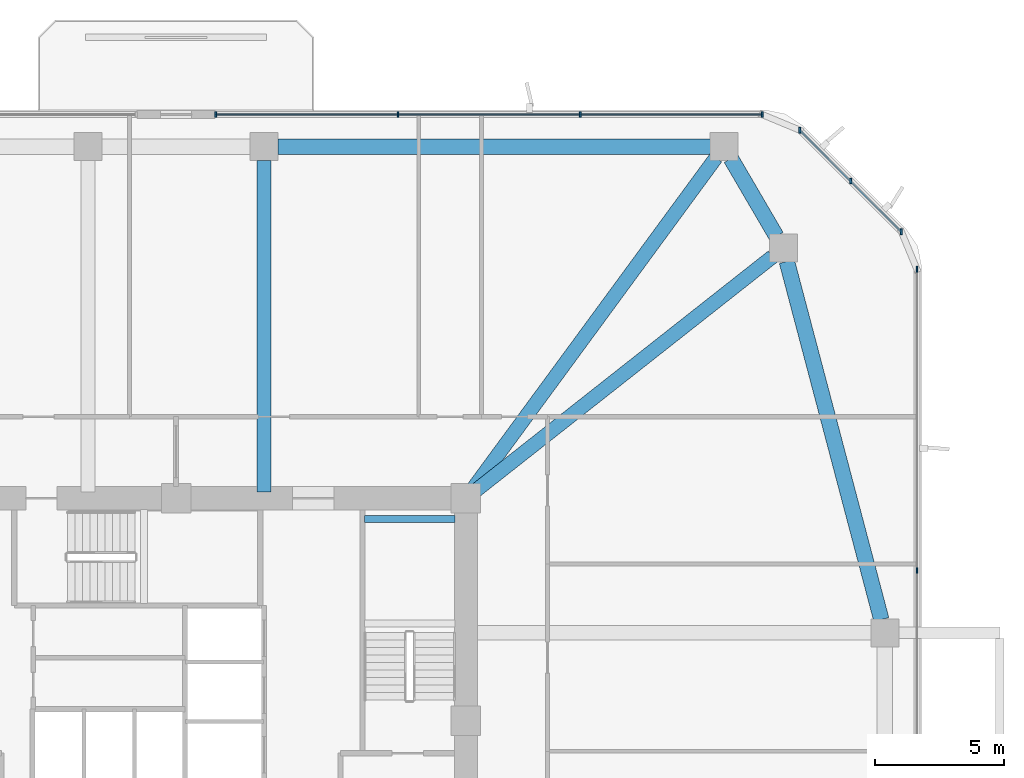
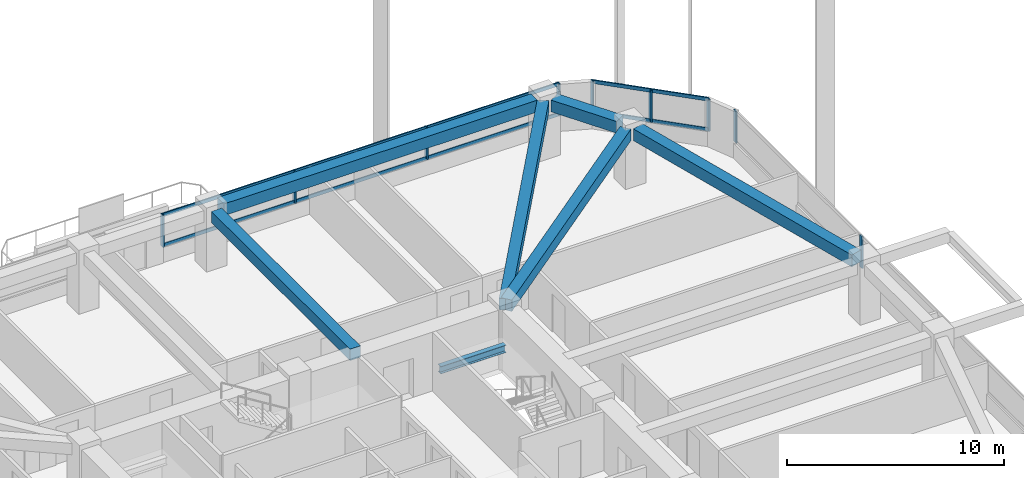
# One storey, part 7 of 17: 13 members, 7 beams, 3 elements without a shape of their own.
"""IFC4 building model written with IfcOpenShell, lengths in metres."""

from ifc_helpers import new_model, si_unit, derived_unit, direction, frame, origin, origin_2d, place, context, subcontext, project, spatial, rectangle, i_section, extrude, material, material_profile, profile_set, type_object, element, aggregate, save


model = new_model("IFC4")

# Units and contexts
model_context = context("Model", 3, precision=1e-05, world=origin(), true_north=direction((0.0, 1.0)))
body_context = subcontext(model_context, "Body", "Model", "MODEL_VIEW")
ifc_project = project(units=[si_unit("LENGTHUNIT", "METRE"), si_unit("AREAUNIT", "SQUARE_METRE"), si_unit("VOLUMEUNIT", "CUBIC_METRE"), si_unit("PLANEANGLEUNIT", "RADIAN"), si_unit("MASSUNIT", "GRAM", prefix="KILO"), derived_unit("THERMALTRANSMITTANCEUNIT", [(si_unit("POWERUNIT", "WATT"), 1), (si_unit("LENGTHUNIT", "METRE"), -2), (si_unit("THERMODYNAMICTEMPERATUREUNIT", "KELVIN"), -1)])], contexts=[model_context])

# Site, building, storey
site_placement = place(None, origin())
site = spatial("IfcSite", under=ifc_project, at=site_placement, CompositionType="ELEMENT")
building_placement = place(site_placement, origin())
building = spatial("IfcBuilding", under=site, at=building_placement, Name="Koralith Skygarden Medical Center", CompositionType="ELEMENT")
storey_placement = place(building_placement, frame((0.0, 0.0, 38.340087890625)))
storey = spatial("IfcBuildingStorey", under=building, at=storey_placement, Name="L09", CompositionType="ELEMENT", Elevation=38.340087890625)

# Curtain wall, members
ifc_material_1 = material(Name="Clear Laminated Glass", Category="glass")
curtain_wall_type = type_object("IfcCurtainWallType", Name="CW-2 Zone 1 Hurricane Unitised Curtain Wall", PredefinedType="NOTDEFINED", material=ifc_material_1)
curtain_wall_1_placement = place(storey_placement, origin())
curtain_wall_1 = element("IfcCurtainWall", 1, at=curtain_wall_1_placement, inside=storey, type_object=curtain_wall_type, Name="Curtain Wall CW-L09-E", PredefinedType="NOTDEFINED")
ifc_material_2 = material(Name="Aluminium 6063-T6", Category="aluminium")
ifc_material_profile_1 = material_profile(ifc_material_2, rectangle(XDim=0.071044921875, YDim=0.219970703125, at=origin_2d()), Name="MUL71X220")
ifc_profile_set_1 = profile_set([ifc_material_profile_1], Name="Aluminium 6063-T6")
member_type_1 = type_object("IfcMemberType", Name="CW-2 Extruded Mullion 71x220", PredefinedType="MULLION", material=ifc_profile_set_1)
member_1_placement = place(storey_placement, frame((65.6201171875, 31.715087890625, 0.849853515625), z_axis=(0.0, 0.0, 1.0), x_axis=(1.0, 0.0, 0.0)))
member_1 = element("IfcMember", 2, at=member_1_placement, type_object=member_type_1, Name="CW-L09-E Mullion 3", PredefinedType="MULLION", context=body_context, shape_type="SweptSolid", body=[
    extrude(rectangle(XDim=0.071044921875, YDim=0.219970703125, at=origin_2d()), origin(), (0.0, 0.0, 1.0), 1.800048828125),
])
member_2_placement = place(storey_placement, frame((65.6201171875, 43.344970703125, 0.849853515625), z_axis=(0.0, 0.0, 1.0), x_axis=(1.0, 0.0, 0.0)))
member_2 = element("IfcMember", 3, at=member_2_placement, type_object=member_type_1, Name="CW-L09-E Mullion 4", PredefinedType="MULLION", context=body_context, shape_type="SweptSolid", body=[
    extrude(rectangle(XDim=0.071044921875, YDim=0.219970703125, at=origin_2d()), origin(), (0.0, 0.0, 1.0), 1.800048828125),
])
aggregate(curtain_wall_1, [member_1, member_2])

curtain_wall_2_placement = place(storey_placement, origin())
curtain_wall_2 = element("IfcCurtainWall", 4, at=curtain_wall_2_placement, inside=storey, type_object=curtain_wall_type, Name="Curtain Wall CW-L09-NE", PredefinedType="NOTDEFINED")
member_3_placement = place(storey_placement, frame((65.01904296875, 44.7958984375, 0.849853515625), z_axis=(0.0, 0.0, 1.0), x_axis=(1.0, 0.0, 0.0)))
member_3 = element("IfcMember", 5, at=member_3_placement, type_object=member_type_1, Name="CW-L09-NE Mullion 1", PredefinedType="MULLION", context=body_context, shape_type="SweptSolid", body=[
    extrude(rectangle(XDim=0.071044921875, YDim=0.219970703125, at=origin_2d()), origin(), (0.0, 0.0, 1.0), 1.800048828125),
])
member_4_placement = place(storey_placement, frame((63.05810546875, 46.758056640625, 0.849853515625), z_axis=(0.0, 0.0, 1.0), x_axis=(1.0, 0.0, 0.0)))
member_4 = element("IfcMember", 6, at=member_4_placement, type_object=member_type_1, Name="CW-L09-NE Mullion 2", PredefinedType="MULLION", context=body_context, shape_type="SweptSolid", body=[
    extrude(rectangle(XDim=0.071044921875, YDim=0.219970703125, at=origin_2d()), origin(), (0.0, 0.0, 1.0), 1.800048828125),
])
member_5_placement = place(storey_placement, frame((61.095947265625, 48.718994140625, 0.849853515625), z_axis=(0.0, 0.0, 1.0), x_axis=(1.0, 0.0, 0.0)))
member_5 = element("IfcMember", 7, at=member_5_placement, type_object=member_type_1, Name="CW-L09-NE Mullion 3", PredefinedType="MULLION", context=body_context, shape_type="SweptSolid", body=[
    extrude(rectangle(XDim=0.071044921875, YDim=0.219970703125, at=origin_2d()), origin(), (0.0, 0.0, 1.0), 1.800048828125),
])

curtain_wall_3_placement = place(storey_placement, origin())
curtain_wall_3 = element("IfcCurtainWall", 8, at=curtain_wall_3_placement, inside=storey, type_object=curtain_wall_type, Name="Curtain Wall CW-L09-N-L", PredefinedType="NOTDEFINED")
member_6_placement = place(storey_placement, frame((59.64501953125, 49.320068359375, 0.849853515625), z_axis=(0.0, 0.0, 1.0), x_axis=(1.0, 0.0, 0.0)))
member_6 = element("IfcMember", 9, at=member_6_placement, type_object=member_type_1, Name="CW-L09-N-L Mullion 1", PredefinedType="MULLION", context=body_context, shape_type="SweptSolid", body=[
    extrude(rectangle(XDim=0.071044921875, YDim=0.219970703125, at=origin_2d()), origin(), (0.0, 0.0, 1.0), 1.800048828125),
])
member_7_placement = place(storey_placement, frame((52.610107421875, 49.320068359375, 0.849853515625), z_axis=(0.0, 0.0, 1.0), x_axis=(1.0, 0.0, 0.0)))
member_7 = element("IfcMember", 10, at=member_7_placement, type_object=member_type_1, Name="CW-L09-N-L Mullion 2", PredefinedType="MULLION", context=body_context, shape_type="SweptSolid", body=[
    extrude(rectangle(XDim=0.071044921875, YDim=0.219970703125, at=origin_2d()), origin(), (0.0, 0.0, 1.0), 1.800048828125),
])
member_8_placement = place(storey_placement, frame((45.574951171875, 49.320068359375, 0.849853515625), z_axis=(0.0, 0.0, 1.0), x_axis=(1.0, 0.0, 0.0)))
member_8 = element("IfcMember", 11, at=member_8_placement, type_object=member_type_1, Name="CW-L09-N-L Mullion 3", PredefinedType="MULLION", context=body_context, shape_type="SweptSolid", body=[
    extrude(rectangle(XDim=0.071044921875, YDim=0.219970703125, at=origin_2d()), origin(), (0.0, 0.0, 1.0), 1.800048828125),
])
member_9_placement = place(storey_placement, frame((38.5400390625, 49.320068359375, 0.849853515625), z_axis=(0.0, 0.0, 1.0), x_axis=(1.0, 0.0, 0.0)))
member_9 = element("IfcMember", 12, at=member_9_placement, type_object=member_type_1, Name="CW-L09-N-L Mullion 4", PredefinedType="MULLION", context=body_context, shape_type="SweptSolid", body=[
    extrude(rectangle(XDim=0.071044921875, YDim=0.219970703125, at=origin_2d()), origin(), (0.0, 0.0, 1.0), 1.800048828125),
])

# Member
ifc_material_profile_2 = material_profile(ifc_material_2, rectangle(XDim=0.06591796875, YDim=0.197998046875, at=origin_2d()), Name="TRN66X198")
ifc_profile_set_2 = profile_set([ifc_material_profile_2], Name="Aluminium 6063-T6")
member_type_2 = type_object("IfcMemberType", Name="CW-2 Thermal Transom 66x198", PredefinedType="USERDEFINED", material=ifc_profile_set_2)
member_10_placement = place(storey_placement, frame((65.01904296875, 44.7958984375, 0.89990234375), z_axis=(-0.707106781187, 0.707106781187, 0.0), x_axis=(-0.707106781187, -0.707106781187, 0.0)))
member_10 = element("IfcMember", 13, at=member_10_placement, type_object=member_type_2, Name="CW-L09-NE Transom 1", ObjectType="TRANSOM", PredefinedType="USERDEFINED", context=body_context, shape_type="SweptSolid", body=[
    extrude(rectangle(XDim=0.06591796875, YDim=0.197998046875, at=origin_2d()), origin(), (0.0, 0.0, 1.0), 5.548095703125),
])

member_11_placement = place(storey_placement, frame((65.01904296875, 44.7958984375, 2.599853515625), z_axis=(-0.707106781187, 0.707106781187, 0.0), x_axis=(-0.707106781187, -0.707106781187, 0.0)))
member_11 = element("IfcMember", 14, at=member_11_placement, type_object=member_type_2, Name="CW-L09-NE Transom 2", ObjectType="TRANSOM", PredefinedType="USERDEFINED", context=body_context, shape_type="SweptSolid", body=[
    extrude(rectangle(XDim=0.06591796875, YDim=0.197998046875, at=origin_2d()), origin(), (0.0, 0.0, 1.0), 5.548095703125),
])

aggregate(curtain_wall_2, [member_3, member_4, member_5, member_10, member_11])

member_12_placement = place(storey_placement, frame((59.64501953125, 49.320068359375, 0.89990234375), z_axis=(-1.0, 0.0, 0.0), x_axis=(0.0, -1.0, 0.0)))
member_12 = element("IfcMember", 15, at=member_12_placement, type_object=member_type_2, Name="CW-L09-N-L Transom 1", ObjectType="TRANSOM", PredefinedType="USERDEFINED", context=body_context, shape_type="SweptSolid", body=[
    extrude(rectangle(XDim=0.06591796875, YDim=0.197998046875, at=origin_2d()), origin(), (0.0, 0.0, 1.0), 21.10498046875),
])

member_13_placement = place(storey_placement, frame((59.64501953125, 49.320068359375, 2.599853515625), z_axis=(-1.0, 0.0, 0.0), x_axis=(0.0, -1.0, 0.0)))
member_13 = element("IfcMember", 16, at=member_13_placement, type_object=member_type_2, Name="CW-L09-N-L Transom 2", ObjectType="TRANSOM", PredefinedType="USERDEFINED", context=body_context, shape_type="SweptSolid", body=[
    extrude(rectangle(XDim=0.06591796875, YDim=0.197998046875, at=origin_2d()), origin(), (0.0, 0.0, 1.0), 21.10498046875),
])

aggregate(curtain_wall_3, [member_6, member_7, member_8, member_9, member_12, member_13])

# Beams
ifc_material_3 = material(Name="Steel ASTM A992 Grade 50", Category="steel")
ifc_material_profile_3 = material_profile(ifc_material_3, i_section(OverallWidth=0.260009765625, OverallDepth=0.4150390625, WebThickness=0.010009765625, FlangeThickness=0.016845703125, at=origin_2d()), Name="W16X67")
ifc_profile_set_3 = profile_set([ifc_material_profile_3], Name="Steel ASTM A992 Grade 50")
beam_type_1 = type_object("IfcBeamType", Name="Clinical Floor Joist W16X67", PredefinedType="JOIST", material=ifc_profile_set_3)
beam_1_placement = place(storey_placement, frame((44.280029296875, 33.699951171875, 1.391845703125), z_axis=(1.0, 0.0, 0.0), x_axis=(0.0, 1.0, 0.0)))
element("IfcBeam", 17, at=beam_1_placement, inside=storey, type_object=beam_type_1, Name="L09 Stair ST2 Half-Landing Support Beam 1B", PredefinedType="JOIST", context=body_context, shape_type="SweptSolid", body=[
    extrude(i_section(OverallWidth=0.260009765625, OverallDepth=0.4150390625, WebThickness=0.010009765625, FlangeThickness=0.016845703125, at=origin_2d()), origin(), (0.0, 0.0, 1.0), 3.489990234375),
])
ifc_material_4 = material(Name="Concrete C45/55", Category="concrete")
ifc_material_profile_4 = material_profile(ifc_material_4, rectangle(XDim=0.550048828125, YDim=0.639892578125, at=origin_2d()), Name="RCB550X640")
ifc_profile_set_4 = profile_set([ifc_material_profile_4], Name="Concrete C45/55")
beam_type_2 = type_object("IfcBeamType", Name="Radial Collector Beam RCB550X640", PredefinedType="BEAM", material=ifc_profile_set_4)
beam_2_placement = place(storey_placement, frame((48.39599609375, 34.655029296875, 3.0), z_axis=(0.785497250365, 0.618865146594, 0.0), x_axis=(-0.618865146594, 0.785497250365, 0.0)))
element("IfcBeam", 18, at=beam_2_placement, inside=storey, type_object=beam_type_2, Name="L09 Radial Collector Beam RB-10", PredefinedType="BEAM", context=body_context, shape_type="SweptSolid", body=[
    extrude(rectangle(XDim=0.550048828125, YDim=0.639892578125, at=origin_2d()), origin(), (0.0, 0.0, 1.0), 14.828857421875),
])
beam_3_placement = place(storey_placement, frame((48.347900390625, 34.701904296875, 3.0), z_axis=(0.591710803277, 0.806150311843, 0.0), x_axis=(-0.806150311843, 0.591710803277, 0.0)))
element("IfcBeam", 19, at=beam_3_placement, inside=storey, type_object=beam_type_2, Name="L09 Radial Collector Beam RB-11", PredefinedType="BEAM", context=body_context, shape_type="SweptSolid", body=[
    extrude(rectangle(XDim=0.550048828125, YDim=0.639892578125, at=origin_2d()), origin(), (0.0, 0.0, 1.0), 16.0654296875),
])
beam_4_placement = place(storey_placement, frame((40.39990234375, 34.75, 3.0), z_axis=(0.0, 1.0, 0.0), x_axis=(-1.0, 0.0, 0.0)))
element("IfcBeam", 20, at=beam_4_placement, inside=storey, type_object=beam_type_2, Name="L09 Radial Collector Beam RB-12", PredefinedType="BEAM", context=body_context, shape_type="SweptSolid", body=[
    extrude(rectangle(XDim=0.550048828125, YDim=0.639892578125, at=origin_2d()), origin(), (0.0, 0.0, 1.0), 12.800048828125),
])
ifc_material_profile_5 = material_profile(ifc_material_4, rectangle(XDim=0.60009765625, YDim=0.659912109375, at=origin_2d()), Name="RCB600X660")
ifc_profile_set_5 = profile_set([ifc_material_profile_5], Name="Concrete C45/55")
beam_type_3 = type_object("IfcBeamType", Name="Zone 1 Spandrel Beam RCB600X660", PredefinedType="SPANDREL", material=ifc_profile_set_5)
beam_5_placement = place(storey_placement, frame((64.2451171875, 29.81201171875, 2.989990234375), z_axis=(-0.255088684842, 0.966917660851, 0.0), x_axis=(-0.966917660851, -0.255088684842, 0.0)))
element("IfcBeam", 21, at=beam_5_placement, inside=storey, type_object=beam_type_3, Name="L09 Perimeter Spandrel Beam SP-09", PredefinedType="SPANDREL", context=body_context, shape_type="SweptSolid", body=[
    extrude(rectangle(XDim=0.60009765625, YDim=0.659912109375, at=origin_2d()), origin(), (0.0, 0.0, 1.0), 14.309326171875),
])
beam_6_placement = place(storey_placement, frame((60.19189453125, 44.617919921875, 2.989990234375), z_axis=(-0.504608092658, 0.863348523381, 0.0), x_axis=(-0.863348523381, -0.504608092658, 0.0)))
element("IfcBeam", 22, at=beam_6_placement, inside=storey, type_object=beam_type_3, Name="L09 Perimeter Spandrel Beam SP-10", PredefinedType="SPANDREL", context=body_context, shape_type="SweptSolid", body=[
    extrude(rectangle(XDim=0.60009765625, YDim=0.659912109375, at=origin_2d()), origin(), (0.0, 0.0, 1.0), 3.479736328125),
])
beam_7_placement = place(storey_placement, frame((57.637939453125, 48.080078125, 2.989990234375), z_axis=(-1.0, 0.0, 0.0), x_axis=(0.0, -1.0, 0.0)))
element("IfcBeam", 23, at=beam_7_placement, inside=storey, type_object=beam_type_3, Name="L09 Perimeter Spandrel Beam SP-11", PredefinedType="SPANDREL", context=body_context, shape_type="SweptSolid", body=[
    extrude(rectangle(XDim=0.60009765625, YDim=0.659912109375, at=origin_2d()), origin(), (0.0, 0.0, 1.0), 16.7080078125),
])

save(model, "model.ifc")
